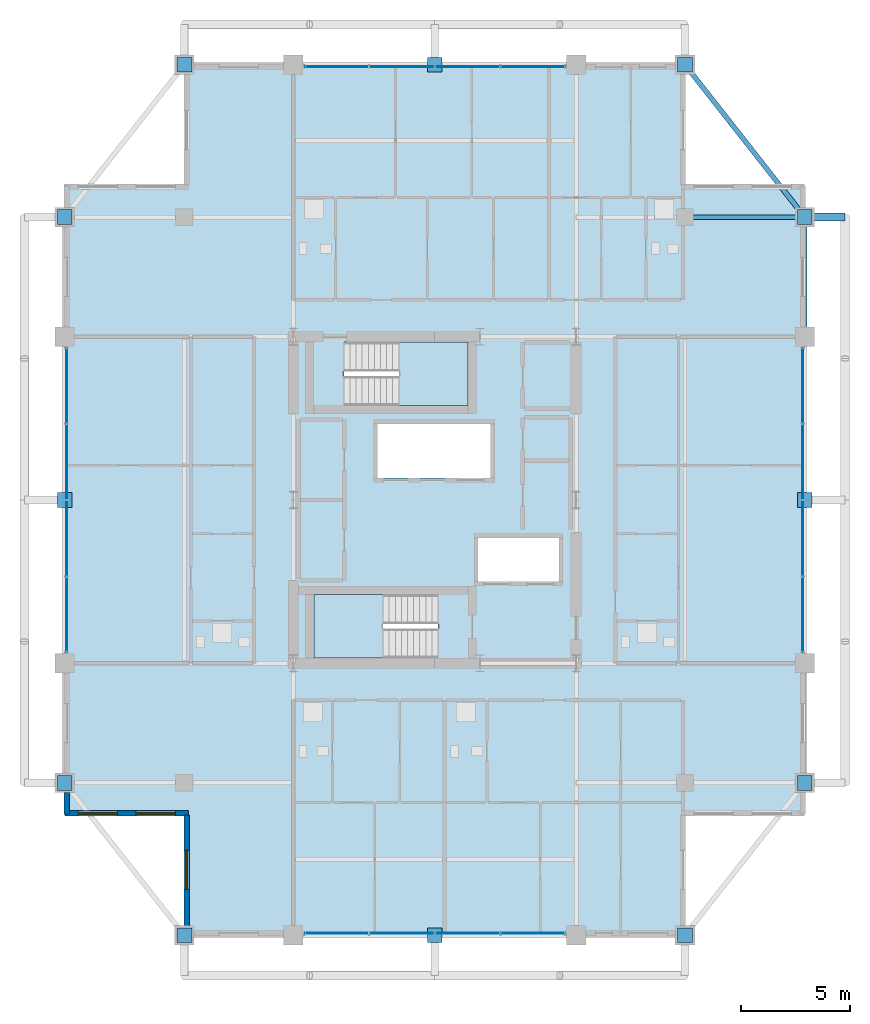
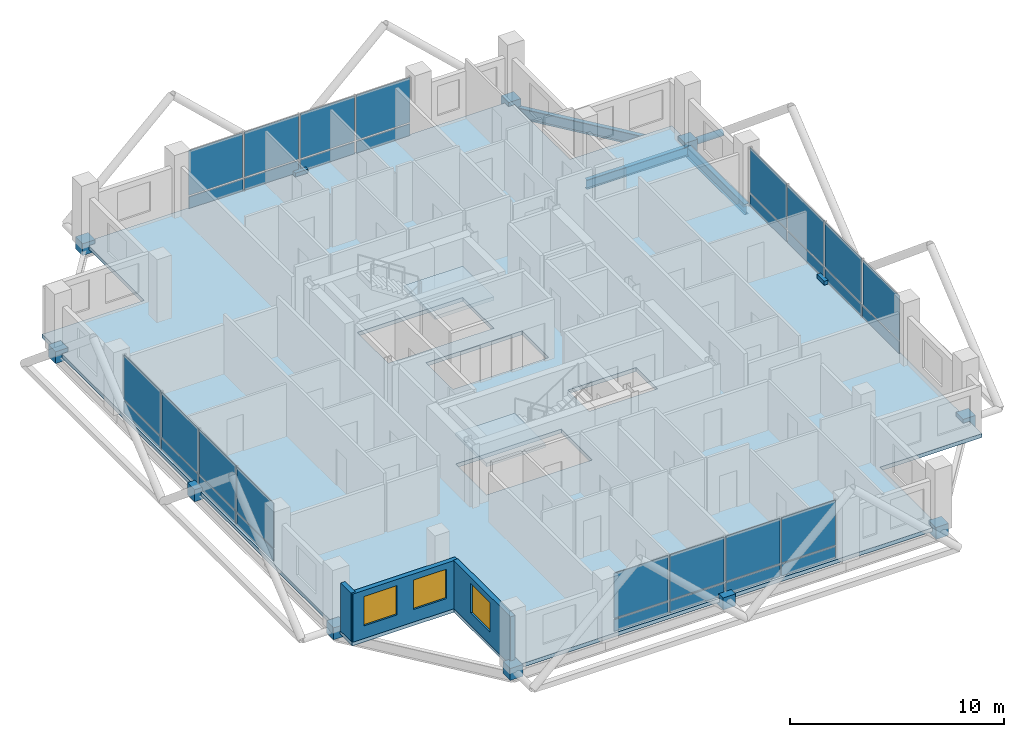
# One storey, part 18 of 25: 44 plates, 3 beams, 3 slabs, 3 walls, 3 windows, 1 member, 3 openings, 6 elements without a shape of their own.
"""IFC4 building model written with IfcOpenShell, lengths in metres."""

from ifc_helpers import new_model, si_unit, direction, frame, frame_2d, origin, origin_2d, place, context, subcontext, project, spatial, polyline, rectangle, hollow_circle, i_section, outline, extrude, material, layer, layer_set, material_profile, profile_set, type_object, element, fill, aggregate, save


model = new_model("IFC4")

# Units and contexts
model_context = context("Model", 3, precision=1e-05, world=origin(), true_north=direction((0.0, 1.0)))
body_context = subcontext(model_context, "Body", "Model", "MODEL_VIEW")
ifc_project = project(units=[si_unit("LENGTHUNIT", "METRE"), si_unit("AREAUNIT", "SQUARE_METRE"), si_unit("VOLUMEUNIT", "CUBIC_METRE"), si_unit("PLANEANGLEUNIT", "RADIAN"), si_unit("MASSUNIT", "GRAM", prefix="KILO")], contexts=[model_context])

# Site, building, storey
site_placement = place(None, origin())
site = spatial("IfcSite", under=ifc_project, at=site_placement, CompositionType="ELEMENT")
building_placement = place(site_placement, origin())
building = spatial("IfcBuilding", under=site, at=building_placement, Name="Barlavira Tower and Art Museum", CompositionType="ELEMENT")
storey_placement = place(building_placement, frame((0.0, 0.0, 229.5)))
storey = spatial("IfcBuildingStorey", under=building, at=storey_placement, Name="L59", CompositionType="ELEMENT", Elevation=229.5)

# Member
ifc_material_1 = material(Name="Steel S355", Category="steel")
ifc_material_profile_1 = material_profile(ifc_material_1, hollow_circle(Radius=0.177734375, WallThickness=0.01611328125, at=origin_2d()), Name="CHS 355.6x16.0")
ifc_profile_set_1 = profile_set([ifc_material_profile_1], Name="Steel S355")
member_type = type_object("IfcMemberType", Name="Pale-Metal Exoskeleton Tie Strut CHS 356x16 Steel S355", PredefinedType="STRUT", material=ifc_profile_set_1)
member_placement = place(storey_placement, frame((18.85009765625, 13.0, -0.1201171875), z_axis=(-1.0, 0.0, 0.0), x_axis=(0.0, -1.0, 0.0)))
element("IfcMember", 1, at=member_placement, inside=storey, type_object=member_type, Name="L59 Exoskeleton Tie Strut E3", PredefinedType="STRUT", context=body_context, shape_type="SweptSolid", body=[
    extrude(hollow_circle(Radius=0.177734375, WallThickness=0.01611328125, at=origin_2d()), origin(), (0.0, 0.0, 1.0), 1.85009765625),
])

# Beams
ifc_material_profile_2 = material_profile(ifc_material_1, i_section(OverallWidth=0.22998046875, OverallDepth=0.616943359375, WebThickness=0.01318359375, FlangeThickness=0.022216796875, at=origin_2d()), Name="W610x140.0")
ifc_profile_set_2 = profile_set([ifc_material_profile_2], Name="Steel S355")
beam_type_1 = type_object("IfcBeamType", Name="Upper Shaft Spandrel Edge Beam W610x140 Steel S355", PredefinedType="SPANDREL", material=ifc_profile_set_2)
beam_1_placement = place(storey_placement, frame((17.0, 7.5, -0.528564453125), z_axis=(0.0, 1.0, 0.0), x_axis=(-1.0, 0.0, 0.0)))
element("IfcBeam", 2, at=beam_1_placement, inside=storey, type_object=beam_type_1, Name="L59 Spandrel 7", PredefinedType="SPANDREL", context=body_context, shape_type="SweptSolid", body=[
    extrude(i_section(OverallWidth=0.22998046875, OverallDepth=0.616943359375, WebThickness=0.01318359375, FlangeThickness=0.022216796875, at=origin_2d()), origin(), (0.0, 0.0, 1.0), 5.5),
])
beam_2_placement = place(storey_placement, frame((17.0, 13.0, -0.528564453125), z_axis=(-0.617821551932, 0.786318338822, 0.0), x_axis=(-0.786318338822, -0.617821551932, 0.0)))
element("IfcBeam", 3, at=beam_2_placement, inside=storey, type_object=beam_type_1, Name="L59 Spandrel 8", PredefinedType="SPANDREL", context=body_context, shape_type="SweptSolid", body=[
    extrude(i_section(OverallWidth=0.22998046875, OverallDepth=0.616943359375, WebThickness=0.01318359375, FlangeThickness=0.022216796875, at=origin_2d()), origin(), (0.0, 0.0, 1.0), 8.90234375),
])
ifc_material_profile_3 = material_profile(ifc_material_1, i_section(OverallWidth=0.2109375, OverallDepth=0.5390625, WebThickness=0.01171875, FlangeThickness=0.018798828125, at=origin_2d()), Name="W530x109.0")
ifc_profile_set_3 = profile_set([ifc_material_profile_3], Name="Steel S355")
beam_type_2 = type_object("IfcBeamType", Name="Zone 3-4 Primary Floor Girder W530x109 Steel S355", PredefinedType="BEAM", material=ifc_profile_set_3)
beam_3_placement = place(storey_placement, frame((11.5, 13.0, -0.489501953125), z_axis=(1.0, 0.0, 0.0), x_axis=(0.0, 1.0, 0.0)))
element("IfcBeam", 4, at=beam_3_placement, inside=storey, type_object=beam_type_2, Name="L59 Girder I-N4", PredefinedType="BEAM", context=body_context, shape_type="SweptSolid", body=[
    extrude(i_section(OverallWidth=0.2109375, OverallDepth=0.5390625, WebThickness=0.01171875, FlangeThickness=0.018798828125, at=origin_2d()), origin(), (0.0, 0.0, 1.0), 5.5),
])

# Curtain wall, plates
ifc_material_2 = material(Name="Low-iron coastal laminated glass", Category="glass")
ifc_layer_1 = layer(ifc_material_2, 0.2099609375, Name="Low-iron coastal laminated glass")
ifc_layer_set_1 = layer_set([ifc_layer_1], Name="Low-iron coastal laminated glass")
curtain_wall_type = type_object("IfcCurtainWallType", Name="Pale-Metal Unitised Curtain Wall Zone 4", PredefinedType="NOTDEFINED", material=ifc_layer_set_1)
curtain_wall_1_placement = place(storey_placement, origin())
curtain_wall_1 = element("IfcCurtainWall", 5, at=curtain_wall_1_placement, inside=storey, type_object=curtain_wall_type, Name="L59 Curtain Wall CW4-L59-S-B2", PredefinedType="NOTDEFINED")
ifc_material_3 = material(Name="Pale anodised aluminium", Category="aluminium")
ifc_layer_2 = layer(ifc_material_3, 0.044921875, Name="Pale anodised aluminium")
ifc_layer_set_2 = layer_set([ifc_layer_2], Name="Pale anodised aluminium")
plate_type_1 = type_object("IfcPlateType", Name="Curtain Wall Pale-Metal Spandrel Panel 45", PredefinedType="CURTAIN_PANEL", material=ifc_layer_set_2)
plate_1_placement = place(storey_placement, frame((-4.5224609375, -19.89990234375, 0.0400390625), z_axis=(0.0, 0.0, 1.0), x_axis=(1.0, 0.0, 0.0)))
plate_1 = element("IfcPlate", 6, at=plate_1_placement, type_object=plate_type_1, Name="CW4-L59-S-B2 Spandrel Panel 0", PredefinedType="CURTAIN_PANEL", context=body_context, shape_type="SweptSolid", body=[
    extrude(rectangle(XDim=2.9150390625, YDim=0.044921875, at=origin_2d()), origin(), (0.0, 0.0, 1.0), 0.6640625),
])
plate_2_placement = place(storey_placement, frame((-1.507568359375, -19.89990234375, 0.0400390625), z_axis=(0.0, 0.0, 1.0), x_axis=(1.0, 0.0, 0.0)))
plate_2 = element("IfcPlate", 7, at=plate_2_placement, type_object=plate_type_1, Name="CW4-L59-S-B2 Spandrel Panel 1", PredefinedType="CURTAIN_PANEL", context=body_context, shape_type="SweptSolid", body=[
    extrude(rectangle(XDim=2.9150390625, YDim=0.044921875, at=origin_2d()), origin(), (0.0, 0.0, 1.0), 0.6640625),
])
plate_3_placement = place(storey_placement, frame((1.507568359375, -19.89990234375, 0.0400390625), z_axis=(0.0, 0.0, 1.0), x_axis=(1.0, 0.0, 0.0)))
plate_3 = element("IfcPlate", 8, at=plate_3_placement, type_object=plate_type_1, Name="CW4-L59-S-B2 Spandrel Panel 2", PredefinedType="CURTAIN_PANEL", context=body_context, shape_type="SweptSolid", body=[
    extrude(rectangle(XDim=2.9150390625, YDim=0.044921875, at=origin_2d()), origin(), (0.0, 0.0, 1.0), 0.6640625),
])
plate_4_placement = place(storey_placement, frame((4.5224609375, -19.89990234375, 0.0400390625), z_axis=(0.0, 0.0, 1.0), x_axis=(1.0, 0.0, 0.0)))
plate_4 = element("IfcPlate", 9, at=plate_4_placement, type_object=plate_type_1, Name="CW4-L59-S-B2 Spandrel Panel 3", PredefinedType="CURTAIN_PANEL", context=body_context, shape_type="SweptSolid", body=[
    extrude(rectangle(XDim=2.9150390625, YDim=0.044921875, at=origin_2d()), origin(), (0.0, 0.0, 1.0), 0.6640625),
])

curtain_wall_2_placement = place(storey_placement, origin())
curtain_wall_2 = element("IfcCurtainWall", 10, at=curtain_wall_2_placement, inside=storey, type_object=curtain_wall_type, Name="L59 Curtain Wall CW4-L59-N-B2", PredefinedType="NOTDEFINED")
plate_5_placement = place(storey_placement, frame((4.5224609375, 19.89990234375, 0.0400390625), z_axis=(0.0, 0.0, 1.0), x_axis=(-1.0, 0.0, 0.0)))
plate_5 = element("IfcPlate", 11, at=plate_5_placement, type_object=plate_type_1, Name="CW4-L59-N-B2 Spandrel Panel 0", PredefinedType="CURTAIN_PANEL", context=body_context, shape_type="SweptSolid", body=[
    extrude(rectangle(XDim=2.9150390625, YDim=0.044921875, at=origin_2d()), origin(), (0.0, 0.0, 1.0), 0.6640625),
])
plate_6_placement = place(storey_placement, frame((1.507568359375, 19.89990234375, 0.0400390625), z_axis=(0.0, 0.0, 1.0), x_axis=(-1.0, 0.0, 0.0)))
plate_6 = element("IfcPlate", 12, at=plate_6_placement, type_object=plate_type_1, Name="CW4-L59-N-B2 Spandrel Panel 1", PredefinedType="CURTAIN_PANEL", context=body_context, shape_type="SweptSolid", body=[
    extrude(rectangle(XDim=2.9150390625, YDim=0.044921875, at=origin_2d()), origin(), (0.0, 0.0, 1.0), 0.6640625),
])
plate_7_placement = place(storey_placement, frame((-1.507568359375, 19.89990234375, 0.0400390625), z_axis=(0.0, 0.0, 1.0), x_axis=(-1.0, 0.0, 0.0)))
plate_7 = element("IfcPlate", 13, at=plate_7_placement, type_object=plate_type_1, Name="CW4-L59-N-B2 Spandrel Panel 2", PredefinedType="CURTAIN_PANEL", context=body_context, shape_type="SweptSolid", body=[
    extrude(rectangle(XDim=2.9150390625, YDim=0.044921875, at=origin_2d()), origin(), (0.0, 0.0, 1.0), 0.6640625),
])
plate_8_placement = place(storey_placement, frame((-4.5224609375, 19.89990234375, 0.0400390625), z_axis=(0.0, 0.0, 1.0), x_axis=(-1.0, 0.0, 0.0)))
plate_8 = element("IfcPlate", 14, at=plate_8_placement, type_object=plate_type_1, Name="CW4-L59-N-B2 Spandrel Panel 3", PredefinedType="CURTAIN_PANEL", context=body_context, shape_type="SweptSolid", body=[
    extrude(rectangle(XDim=2.9150390625, YDim=0.044921875, at=origin_2d()), origin(), (0.0, 0.0, 1.0), 0.6640625),
])

curtain_wall_3_placement = place(storey_placement, origin())
curtain_wall_3 = element("IfcCurtainWall", 15, at=curtain_wall_3_placement, inside=storey, type_object=curtain_wall_type, Name="L59 Curtain Wall CW4-L59-W-B3", PredefinedType="NOTDEFINED")
plate_9_placement = place(storey_placement, frame((-16.89990234375, 5.2724609375, 0.0400390625), z_axis=(0.0, 0.0, 1.0), x_axis=(0.0, -1.0, 0.0)))
plate_9 = element("IfcPlate", 16, at=plate_9_placement, type_object=plate_type_1, Name="CW4-L59-W-B3 Spandrel Panel 0", PredefinedType="CURTAIN_PANEL", context=body_context, shape_type="SweptSolid", body=[
    extrude(rectangle(XDim=3.4150390625, YDim=0.044921875, at=origin_2d()), origin(), (0.0, 0.0, 1.0), 0.6640625),
])
plate_10_placement = place(storey_placement, frame((-16.89990234375, 1.757568359375, 0.0400390625), z_axis=(0.0, 0.0, 1.0), x_axis=(0.0, -1.0, 0.0)))
plate_10 = element("IfcPlate", 17, at=plate_10_placement, type_object=plate_type_1, Name="CW4-L59-W-B3 Spandrel Panel 1", PredefinedType="CURTAIN_PANEL", context=body_context, shape_type="SweptSolid", body=[
    extrude(rectangle(XDim=3.4150390625, YDim=0.044921875, at=origin_2d()), origin(), (0.0, 0.0, 1.0), 0.6640625),
])
plate_11_placement = place(storey_placement, frame((-16.89990234375, -1.757568359375, 0.0400390625), z_axis=(0.0, 0.0, 1.0), x_axis=(0.0, -1.0, 0.0)))
plate_11 = element("IfcPlate", 18, at=plate_11_placement, type_object=plate_type_1, Name="CW4-L59-W-B3 Spandrel Panel 2", PredefinedType="CURTAIN_PANEL", context=body_context, shape_type="SweptSolid", body=[
    extrude(rectangle(XDim=3.4150390625, YDim=0.044921875, at=origin_2d()), origin(), (0.0, 0.0, 1.0), 0.6640625),
])
plate_12_placement = place(storey_placement, frame((-16.89990234375, -5.2724609375, 0.0400390625), z_axis=(0.0, 0.0, 1.0), x_axis=(0.0, -1.0, 0.0)))
plate_12 = element("IfcPlate", 19, at=plate_12_placement, type_object=plate_type_1, Name="CW4-L59-W-B3 Spandrel Panel 3", PredefinedType="CURTAIN_PANEL", context=body_context, shape_type="SweptSolid", body=[
    extrude(rectangle(XDim=3.4150390625, YDim=0.044921875, at=origin_2d()), origin(), (0.0, 0.0, 1.0), 0.6640625),
])

curtain_wall_4_placement = place(storey_placement, origin())
curtain_wall_4 = element("IfcCurtainWall", 20, at=curtain_wall_4_placement, inside=storey, type_object=curtain_wall_type, Name="L59 Curtain Wall CW4-L59-E-B3", PredefinedType="NOTDEFINED")
plate_13_placement = place(storey_placement, frame((16.89990234375, -5.2724609375, 0.0400390625), z_axis=(0.0, 0.0, 1.0), x_axis=(0.0, 1.0, 0.0)))
plate_13 = element("IfcPlate", 21, at=plate_13_placement, type_object=plate_type_1, Name="CW4-L59-E-B3 Spandrel Panel 0", PredefinedType="CURTAIN_PANEL", context=body_context, shape_type="SweptSolid", body=[
    extrude(rectangle(XDim=3.4150390625, YDim=0.044921875, at=origin_2d()), origin(), (0.0, 0.0, 1.0), 0.6640625),
])
plate_14_placement = place(storey_placement, frame((16.89990234375, -1.757568359375, 0.0400390625), z_axis=(0.0, 0.0, 1.0), x_axis=(0.0, 1.0, 0.0)))
plate_14 = element("IfcPlate", 22, at=plate_14_placement, type_object=plate_type_1, Name="CW4-L59-E-B3 Spandrel Panel 1", PredefinedType="CURTAIN_PANEL", context=body_context, shape_type="SweptSolid", body=[
    extrude(rectangle(XDim=3.4150390625, YDim=0.044921875, at=origin_2d()), origin(), (0.0, 0.0, 1.0), 0.6640625),
])
plate_15_placement = place(storey_placement, frame((16.89990234375, 1.757568359375, 0.0400390625), z_axis=(0.0, 0.0, 1.0), x_axis=(0.0, 1.0, 0.0)))
plate_15 = element("IfcPlate", 23, at=plate_15_placement, type_object=plate_type_1, Name="CW4-L59-E-B3 Spandrel Panel 2", PredefinedType="CURTAIN_PANEL", context=body_context, shape_type="SweptSolid", body=[
    extrude(rectangle(XDim=3.4150390625, YDim=0.044921875, at=origin_2d()), origin(), (0.0, 0.0, 1.0), 0.6640625),
])
plate_16_placement = place(storey_placement, frame((16.89990234375, 5.2724609375, 0.0400390625), z_axis=(0.0, 0.0, 1.0), x_axis=(0.0, 1.0, 0.0)))
plate_16 = element("IfcPlate", 24, at=plate_16_placement, type_object=plate_type_1, Name="CW4-L59-E-B3 Spandrel Panel 3", PredefinedType="CURTAIN_PANEL", context=body_context, shape_type="SweptSolid", body=[
    extrude(rectangle(XDim=3.4150390625, YDim=0.044921875, at=origin_2d()), origin(), (0.0, 0.0, 1.0), 0.6640625),
])

# Plate
ifc_layer_3 = layer(ifc_material_2, 0.028076171875, Name="Low-iron coastal laminated glass")
ifc_layer_set_3 = layer_set([ifc_layer_3], Name="Low-iron coastal laminated glass")
plate_type_2 = type_object("IfcPlateType", Name="Curtain Wall Vision Glazing Panel 28", PredefinedType="CURTAIN_PANEL", material=ifc_layer_set_3)
plate_17_placement = place(storey_placement, frame((-4.5224609375, -19.89990234375, 0.7841796875), z_axis=(0.0, 0.0, 1.0), x_axis=(1.0, 0.0, 0.0)))
plate_17 = element("IfcPlate", 25, at=plate_17_placement, type_object=plate_type_2, Name="CW4-L59-S-B2 Vision Glass Panel 0", PredefinedType="CURTAIN_PANEL", context=body_context, shape_type="SweptSolid", body=[
    extrude(rectangle(XDim=2.9150390625, YDim=0.028076171875, at=origin_2d()), origin(), (0.0, 0.0, 1.0), 2.555908203125),
])

plate_18_placement = place(storey_placement, frame((-1.507568359375, -19.89990234375, 0.7841796875), z_axis=(0.0, 0.0, 1.0), x_axis=(1.0, 0.0, 0.0)))
plate_18 = element("IfcPlate", 26, at=plate_18_placement, type_object=plate_type_2, Name="CW4-L59-S-B2 Vision Glass Panel 1", PredefinedType="CURTAIN_PANEL", context=body_context, shape_type="SweptSolid", body=[
    extrude(rectangle(XDim=2.9150390625, YDim=0.028076171875, at=origin_2d()), origin(), (0.0, 0.0, 1.0), 2.555908203125),
])

plate_19_placement = place(storey_placement, frame((1.507568359375, -19.89990234375, 0.7841796875), z_axis=(0.0, 0.0, 1.0), x_axis=(1.0, 0.0, 0.0)))
plate_19 = element("IfcPlate", 27, at=plate_19_placement, type_object=plate_type_2, Name="CW4-L59-S-B2 Vision Glass Panel 2", PredefinedType="CURTAIN_PANEL", context=body_context, shape_type="SweptSolid", body=[
    extrude(rectangle(XDim=2.9150390625, YDim=0.028076171875, at=origin_2d()), origin(), (0.0, 0.0, 1.0), 2.555908203125),
])

plate_20_placement = place(storey_placement, frame((4.5224609375, -19.89990234375, 0.7841796875), z_axis=(0.0, 0.0, 1.0), x_axis=(1.0, 0.0, 0.0)))
plate_20 = element("IfcPlate", 28, at=plate_20_placement, type_object=plate_type_2, Name="CW4-L59-S-B2 Vision Glass Panel 3", PredefinedType="CURTAIN_PANEL", context=body_context, shape_type="SweptSolid", body=[
    extrude(rectangle(XDim=2.9150390625, YDim=0.028076171875, at=origin_2d()), origin(), (0.0, 0.0, 1.0), 2.555908203125),
])

aggregate(curtain_wall_1, [plate_1, plate_17, plate_2, plate_18, plate_3, plate_19, plate_4, plate_20])

plate_21_placement = place(storey_placement, frame((4.5224609375, 19.89990234375, 0.7841796875), z_axis=(0.0, 0.0, 1.0), x_axis=(-1.0, 0.0, 0.0)))
plate_21 = element("IfcPlate", 29, at=plate_21_placement, type_object=plate_type_2, Name="CW4-L59-N-B2 Vision Glass Panel 0", PredefinedType="CURTAIN_PANEL", context=body_context, shape_type="SweptSolid", body=[
    extrude(rectangle(XDim=2.9150390625, YDim=0.028076171875, at=origin_2d()), origin(), (0.0, 0.0, 1.0), 2.555908203125),
])

plate_22_placement = place(storey_placement, frame((1.507568359375, 19.89990234375, 0.7841796875), z_axis=(0.0, 0.0, 1.0), x_axis=(-1.0, 0.0, 0.0)))
plate_22 = element("IfcPlate", 30, at=plate_22_placement, type_object=plate_type_2, Name="CW4-L59-N-B2 Vision Glass Panel 1", PredefinedType="CURTAIN_PANEL", context=body_context, shape_type="SweptSolid", body=[
    extrude(rectangle(XDim=2.9150390625, YDim=0.028076171875, at=origin_2d()), origin(), (0.0, 0.0, 1.0), 2.555908203125),
])

plate_23_placement = place(storey_placement, frame((-1.507568359375, 19.89990234375, 0.7841796875), z_axis=(0.0, 0.0, 1.0), x_axis=(-1.0, 0.0, 0.0)))
plate_23 = element("IfcPlate", 31, at=plate_23_placement, type_object=plate_type_2, Name="CW4-L59-N-B2 Vision Glass Panel 2", PredefinedType="CURTAIN_PANEL", context=body_context, shape_type="SweptSolid", body=[
    extrude(rectangle(XDim=2.9150390625, YDim=0.028076171875, at=origin_2d()), origin(), (0.0, 0.0, 1.0), 2.555908203125),
])

plate_24_placement = place(storey_placement, frame((-4.5224609375, 19.89990234375, 0.7841796875), z_axis=(0.0, 0.0, 1.0), x_axis=(-1.0, 0.0, 0.0)))
plate_24 = element("IfcPlate", 32, at=plate_24_placement, type_object=plate_type_2, Name="CW4-L59-N-B2 Vision Glass Panel 3", PredefinedType="CURTAIN_PANEL", context=body_context, shape_type="SweptSolid", body=[
    extrude(rectangle(XDim=2.9150390625, YDim=0.028076171875, at=origin_2d()), origin(), (0.0, 0.0, 1.0), 2.555908203125),
])

aggregate(curtain_wall_2, [plate_5, plate_21, plate_6, plate_22, plate_7, plate_23, plate_8, plate_24])

plate_25_placement = place(storey_placement, frame((-16.89990234375, 5.2724609375, 0.7841796875), z_axis=(0.0, 0.0, 1.0), x_axis=(0.0, -1.0, 0.0)))
plate_25 = element("IfcPlate", 33, at=plate_25_placement, type_object=plate_type_2, Name="CW4-L59-W-B3 Vision Glass Panel 0", PredefinedType="CURTAIN_PANEL", context=body_context, shape_type="SweptSolid", body=[
    extrude(rectangle(XDim=3.4150390625, YDim=0.028076171875, at=origin_2d()), origin(), (0.0, 0.0, 1.0), 2.555908203125),
])

plate_26_placement = place(storey_placement, frame((-16.89990234375, 1.757568359375, 0.7841796875), z_axis=(0.0, 0.0, 1.0), x_axis=(0.0, -1.0, 0.0)))
plate_26 = element("IfcPlate", 34, at=plate_26_placement, type_object=plate_type_2, Name="CW4-L59-W-B3 Vision Glass Panel 1", PredefinedType="CURTAIN_PANEL", context=body_context, shape_type="SweptSolid", body=[
    extrude(rectangle(XDim=3.4150390625, YDim=0.028076171875, at=origin_2d()), origin(), (0.0, 0.0, 1.0), 2.555908203125),
])

plate_27_placement = place(storey_placement, frame((-16.89990234375, -1.757568359375, 0.7841796875), z_axis=(0.0, 0.0, 1.0), x_axis=(0.0, -1.0, 0.0)))
plate_27 = element("IfcPlate", 35, at=plate_27_placement, type_object=plate_type_2, Name="CW4-L59-W-B3 Vision Glass Panel 2", PredefinedType="CURTAIN_PANEL", context=body_context, shape_type="SweptSolid", body=[
    extrude(rectangle(XDim=3.4150390625, YDim=0.028076171875, at=origin_2d()), origin(), (0.0, 0.0, 1.0), 2.555908203125),
])

plate_28_placement = place(storey_placement, frame((-16.89990234375, -5.2724609375, 0.7841796875), z_axis=(0.0, 0.0, 1.0), x_axis=(0.0, -1.0, 0.0)))
plate_28 = element("IfcPlate", 36, at=plate_28_placement, type_object=plate_type_2, Name="CW4-L59-W-B3 Vision Glass Panel 3", PredefinedType="CURTAIN_PANEL", context=body_context, shape_type="SweptSolid", body=[
    extrude(rectangle(XDim=3.4150390625, YDim=0.028076171875, at=origin_2d()), origin(), (0.0, 0.0, 1.0), 2.555908203125),
])

aggregate(curtain_wall_3, [plate_9, plate_25, plate_10, plate_26, plate_11, plate_27, plate_12, plate_28])

plate_29_placement = place(storey_placement, frame((16.89990234375, -5.2724609375, 0.7841796875), z_axis=(0.0, 0.0, 1.0), x_axis=(0.0, 1.0, 0.0)))
plate_29 = element("IfcPlate", 37, at=plate_29_placement, type_object=plate_type_2, Name="CW4-L59-E-B3 Vision Glass Panel 0", PredefinedType="CURTAIN_PANEL", context=body_context, shape_type="SweptSolid", body=[
    extrude(rectangle(XDim=3.4150390625, YDim=0.028076171875, at=origin_2d()), origin(), (0.0, 0.0, 1.0), 2.555908203125),
])

plate_30_placement = place(storey_placement, frame((16.89990234375, -1.757568359375, 0.7841796875), z_axis=(0.0, 0.0, 1.0), x_axis=(0.0, 1.0, 0.0)))
plate_30 = element("IfcPlate", 38, at=plate_30_placement, type_object=plate_type_2, Name="CW4-L59-E-B3 Vision Glass Panel 1", PredefinedType="CURTAIN_PANEL", context=body_context, shape_type="SweptSolid", body=[
    extrude(rectangle(XDim=3.4150390625, YDim=0.028076171875, at=origin_2d()), origin(), (0.0, 0.0, 1.0), 2.555908203125),
])

plate_31_placement = place(storey_placement, frame((16.89990234375, 1.757568359375, 0.7841796875), z_axis=(0.0, 0.0, 1.0), x_axis=(0.0, 1.0, 0.0)))
plate_31 = element("IfcPlate", 39, at=plate_31_placement, type_object=plate_type_2, Name="CW4-L59-E-B3 Vision Glass Panel 2", PredefinedType="CURTAIN_PANEL", context=body_context, shape_type="SweptSolid", body=[
    extrude(rectangle(XDim=3.4150390625, YDim=0.028076171875, at=origin_2d()), origin(), (0.0, 0.0, 1.0), 2.555908203125),
])

plate_32_placement = place(storey_placement, frame((16.89990234375, 5.2724609375, 0.7841796875), z_axis=(0.0, 0.0, 1.0), x_axis=(0.0, 1.0, 0.0)))
plate_32 = element("IfcPlate", 40, at=plate_32_placement, type_object=plate_type_2, Name="CW4-L59-E-B3 Vision Glass Panel 3", PredefinedType="CURTAIN_PANEL", context=body_context, shape_type="SweptSolid", body=[
    extrude(rectangle(XDim=3.4150390625, YDim=0.028076171875, at=origin_2d()), origin(), (0.0, 0.0, 1.0), 2.555908203125),
])

aggregate(curtain_wall_4, [plate_13, plate_29, plate_14, plate_30, plate_15, plate_31, plate_16, plate_32])

# Plates
ifc_layer_4 = layer(ifc_material_1, 0.679931640625, Name="Steel S355")
ifc_layer_set_4 = layer_set([ifc_layer_4], Name="Steel S355")
plate_type_3 = type_object("IfcPlateType", Name="Exoskeleton Tie-Back Solid Cap Plate Assembly Type 5 Steel S355", PredefinedType="USERDEFINED", material=ifc_layer_set_4)
for number, where, z_axis, x_axis, name in (
    (41, (-11.5, -20.0, -0.4599609375), (0.0, 0.0, 1.0), (1.0, 0.0, 0.0), "Slab Edge Tie Cap Plate S1 ND-L59-0674"),
    (42, (0.0, -20.0, -0.4599609375), (0.0, 0.0, 1.0), (1.0, 0.0, 0.0), "Slab Edge Tie Cap Plate S2 ND-L59-0675"),
    (43, (11.5, -20.0, -0.4599609375), (0.0, 0.0, 1.0), (1.0, 0.0, 0.0), "Slab Edge Tie Cap Plate S3 ND-L59-0676"),
    (44, (-11.5, 20.0, -0.4599609375), (0.0, 0.0, 1.0), (1.0, 0.0, 0.0), "Slab Edge Tie Cap Plate N1 ND-L59-0682"),
    (45, (0.0, 20.0, -0.4599609375), (0.0, 0.0, 1.0), (1.0, 0.0, 0.0), "Slab Edge Tie Cap Plate N2 ND-L59-0683"),
    (46, (11.5, 20.0, -0.4599609375), (0.0, 0.0, 1.0), (1.0, 0.0, 0.0), "Slab Edge Tie Cap Plate N3 ND-L59-0684"),
    (47, (-17.0, -13.0, -0.4599609375), (0.0, 0.0, 1.0), (1.0, 0.0, 0.0), "Slab Edge Tie Cap Plate W1 ND-L59-0690"),
    (48, (-17.0, 0.0, -0.4599609375), (0.0, 0.0, 1.0), (1.0, 0.0, 0.0), "Slab Edge Tie Cap Plate W2 ND-L59-0691"),
    (49, (-17.0, 13.0, -0.4599609375), (0.0, 0.0, 1.0), (1.0, 0.0, 0.0), "Slab Edge Tie Cap Plate W3 ND-L59-0692"),
    (50, (17.0, -13.0, -0.4599609375), (0.0, 0.0, 1.0), (1.0, 0.0, 0.0), "Slab Edge Tie Cap Plate E1 ND-L59-0698"),
    (51, (17.0, 0.0, -0.4599609375), (0.0, 0.0, 1.0), (1.0, 0.0, 0.0), "Slab Edge Tie Cap Plate E2 ND-L59-0699"),
    (52, (17.0, 13.0, -0.4599609375), (0.0, 0.0, 1.0), (1.0, 0.0, 0.0), "Slab Edge Tie Cap Plate E3 ND-L59-0700"),
):
    element("IfcPlate", number, at=place(storey_placement, frame(where, z_axis=z_axis, x_axis=x_axis)), inside=storey, type_object=plate_type_3, Name=name, ObjectType="FLANGE_PLATE", PredefinedType="USERDEFINED", context=body_context, shape_type="SweptSolid", body=[
        extrude(rectangle(XDim=0.679931640625, YDim=0.679931640625, at=origin_2d()), origin(), (0.0, 0.0, 1.0), 0.679931640625),
    ])

# Stair, slab
ifc_material_4 = material(Name="Concrete C45", Category="concrete")
stair_type_1 = type_object("IfcStairType", Name="Tower North Dog-Leg Exit Stair Assembly Concrete C45", PredefinedType="TWO_QUARTER_TURN_STAIR", material=ifc_material_4)
stair_1_placement = place(storey_placement, origin())
stair_1 = element("IfcStair", 53, at=stair_1_placement, inside=storey, type_object=stair_type_1, Name="L59 Tower North Exit Stair ST-T2", PredefinedType="TWO_QUARTER_TURN_STAIR")
ifc_layer_5 = layer(ifc_material_4, 0.199951171875, Name="Concrete C45")
ifc_layer_set_5 = layer_set([ifc_layer_5], Name="Concrete C45")
slab_type_1 = type_object("IfcSlabType", Name="Tower North Dog-Leg Exit Stair Half-Landing Slab 200 Concrete C45", PredefinedType="LANDING", material=ifc_layer_set_5)
slab_1_placement = place(storey_placement, frame((0.0, 0.0, 1.60009765625)))
slab_1 = element("IfcSlab", 54, at=slab_1_placement, type_object=slab_type_1, Name="ST-T2 landing 1", PredefinedType="LANDING", context=body_context, shape_type="SweptSolid", body=[
    extrude(outline(polyline([(-1.64990234375, 4.35009765625), (1.530029296875, 4.35009765625), (1.530029296875, 7.25), (-1.64990234375, 7.25), (-1.64990234375, 4.35009765625)])), origin(), (0.0, 0.0, 1.0), 0.199951171875),
])
aggregate(stair_1, [slab_1])

stair_type_2 = type_object("IfcStairType", Name="Tower South Dog-Leg Exit Stair Assembly Concrete C45", PredefinedType="TWO_QUARTER_TURN_STAIR", material=ifc_material_4)
stair_2_placement = place(storey_placement, origin())
stair_2 = element("IfcStair", 55, at=stair_2_placement, inside=storey, type_object=stair_type_2, Name="L59 Tower South Exit Stair ST-T1", PredefinedType="TWO_QUARTER_TURN_STAIR")
ifc_layer_6 = layer(ifc_material_4, 0.199951171875, Name="Concrete C45")
ifc_layer_set_6 = layer_set([ifc_layer_6], Name="Concrete C45")
slab_type_2 = type_object("IfcSlabType", Name="Tower South Dog-Leg Exit Stair Half-Landing Slab 200 Concrete C45", PredefinedType="LANDING", material=ifc_layer_set_6)
slab_2_placement = place(storey_placement, frame((0.0, 0.0, 1.60009765625)))
slab_2 = element("IfcSlab", 56, at=slab_2_placement, type_object=slab_type_2, Name="ST-T1 landing 1", PredefinedType="LANDING", context=body_context, shape_type="SweptSolid", body=[
    extrude(outline(polyline([(-2.3701171875, -4.35009765625), (-5.550048828125, -4.35009765625), (-5.550048828125, -7.25), (-2.3701171875, -7.25), (-2.3701171875, -4.35009765625)])), origin(), (0.0, 0.0, 1.0), 0.199951171875),
])
aggregate(stair_2, [slab_2])

# Slab
ifc_material_5 = material(Name="Concrete C50", Category="concrete")
ifc_layer_7 = layer(ifc_material_5, 0.18994140625, Name="Concrete C50")
ifc_layer_set_7 = layer_set([ifc_layer_7], Name="Concrete C50")
slab_type_3 = type_object("IfcSlabType", Name="Zone 4 Residential Composite Slab 190 Concrete C50", PredefinedType="FLOOR", material=ifc_layer_set_7)
slab_3_placement = place(storey_placement, frame((0.0, 0.0, -0.219970703125)))
element("IfcSlab", 57, at=slab_3_placement, inside=storey, type_object=slab_type_3, Name="L59 Tower Floor Slab", PredefinedType="FLOOR", context=body_context, shape_type="SweptSolid", body=[
    extrude(outline(polyline([(-11.5, -20.0), (11.5, -20.0), (11.5, -14.5), (17.0, -14.5), (17.0, 14.5), (11.5, 14.5), (11.5, 20.0), (-11.5, 20.0), (-11.5, 14.5), (-17.0, 14.5), (-17.0, -14.5), (-11.5, -14.5), (-11.5, -20.0)]), holes=[polyline([(0.14990234375, -4.35009765625), (-5.550048828125, -4.35009765625), (-5.550048828125, -7.25), (0.14990234375, -7.25), (0.14990234375, -4.35009765625)]), polyline([(-4.169921875, 4.35009765625), (1.530029296875, 4.35009765625), (1.530029296875, 7.25), (-4.169921875, 7.25), (-4.169921875, 4.35009765625)]), polyline([(-2.6201171875, 1.0), (2.56005859375, 1.0), (2.56005859375, 3.5), (-2.6201171875, 3.5), (-2.6201171875, 1.0)]), polyline([(2.0, -3.75), (5.699951171875, -3.75), (5.699951171875, -1.75), (2.0, -1.75), (2.0, -3.75)])]), origin(), (0.0, 0.0, 1.0), 0.219970703125),
])

# Wall
ifc_material_6 = material(Name="Precast concrete C40", Category="concrete")
ifc_layer_8 = layer(ifc_material_6, 0.25, Name="Precast concrete C40")
ifc_layer_set_8 = layer_set([ifc_layer_8], Name="Precast concrete C40")
wall_type = type_object("IfcWallType", Name="Notched Corner Spandrel Wall 250 Precast Concrete C40", PredefinedType="SOLIDWALL", material=ifc_layer_set_8)
wall_1_placement = place(storey_placement, frame((-16.89990234375, -13.445068359375, 0.0), z_axis=(0.0, 0.0, 1.0), x_axis=(0.0, -1.0, 0.0)))
element("IfcWall", 58, at=wall_1_placement, inside=storey, type_object=wall_type, Name="L59 Coastal Facade Pier Wall CW4-L59-W-5", PredefinedType="SOLIDWALL", context=body_context, shape_type="SweptSolid", body=[
    extrude(rectangle(XDim=0.97998046875, YDim=0.25, at=frame_2d((0.489990234375, 0.0))), origin(), (0.0, 0.0, 1.0), 2.748046875),
])

# Wall, openings, windows
wall_2_placement = place(storey_placement, frame((-16.97998046875, -14.39990234375, 0.0), z_axis=(0.0, 0.0, 1.0), x_axis=(1.0, 0.0, 0.0)))
wall_2 = element("IfcWall", 59, at=wall_2_placement, inside=storey, type_object=wall_type, Name="L59 Notch Corner Wall SW1", PredefinedType="SOLIDWALL", context=body_context, shape_type="SweptSolid", body=[
    extrude(rectangle(XDim=5.659912109375, YDim=0.25, at=frame_2d((2.830078125, 0.0))), origin(), (0.0, 0.0, 1.0), 2.748046875),
])
opening_1_placement = place(wall_2_placement, frame((0.594970703125, 0.0, 0.719970703125)))
opening_1 = element("IfcOpeningElement", 60, at=opening_1_placement, cuts=wall_2, Name="Opening WN-01", PredefinedType="OPENING", context=body_context, shape_type="SweptSolid", body=[
    extrude(rectangle(XDim=1.800048828125, YDim=1.679931640625, at=frame_2d((0.89990234375, 0.83984375))), frame((0.0, 0.135009765625, 0.0), z_axis=(0.0, -1.0, 0.0), x_axis=(1.0, 0.0, 0.0)), (0.0, 0.0, 1.0), 0.27001953125),
])
opening_2_placement = place(wall_2_placement, frame((3.264892578125, 0.0, 0.719970703125)))
opening_2 = element("IfcOpeningElement", 61, at=opening_2_placement, cuts=wall_2, Name="Opening WN-01", PredefinedType="OPENING", context=body_context, shape_type="SweptSolid", body=[
    extrude(rectangle(XDim=1.800048828125, YDim=1.679931640625, at=frame_2d((0.89990234375, 0.83984375))), frame((0.0, 0.135009765625, 0.0), z_axis=(0.0, -1.0, 0.0), x_axis=(1.0, 0.0, 0.0)), (0.0, 0.0, 1.0), 0.27001953125),
])
window_type = type_object("IfcWindowType", Name="Recessed Notch Corner Punch Window 1800x1680", PartitioningType="SINGLE_PANEL", PredefinedType="WINDOW", material=ifc_material_2)
window_1_placement = place(opening_1_placement, origin())
window_1 = element("IfcWindow", 62, at=window_1_placement, inside=storey, type_object=window_type, Name="L59 Punched Facade Window EW-NTC-L59-SW1-1", OverallHeight=1.679931640625, OverallWidth=1.800048828125, PartitioningType="SINGLE_PANEL", PredefinedType="WINDOW", context=body_context, shape_type="SweptSolid", body=[
    extrude(rectangle(XDim=1.800048828125, YDim=1.679931640625, at=frame_2d((0.89990234375, 0.83984375))), frame((0.0, 0.030029296875, 0.0), z_axis=(0.0, -1.0, 0.0), x_axis=(1.0, 0.0, 0.0)), (0.0, 0.0, 1.0), 0.06005859375),
])
fill(opening_1, window_1)
window_2_placement = place(opening_2_placement, origin())
window_2 = element("IfcWindow", 63, at=window_2_placement, inside=storey, type_object=window_type, Name="L59 Punched Facade Window EW-NTC-L59-SW1-2", OverallHeight=1.679931640625, OverallWidth=1.800048828125, PartitioningType="SINGLE_PANEL", PredefinedType="WINDOW", context=body_context, shape_type="SweptSolid", body=[
    extrude(rectangle(XDim=1.800048828125, YDim=1.679931640625, at=frame_2d((0.89990234375, 0.83984375))), frame((0.0, 0.030029296875, 0.0), z_axis=(0.0, -1.0, 0.0), x_axis=(1.0, 0.0, 0.0)), (0.0, 0.0, 1.0), 0.06005859375),
])
fill(opening_2, window_2)

# Wall, opening, window
wall_3_placement = place(storey_placement, frame((-11.39990234375, -14.47998046875, 0.0), z_axis=(0.0, 0.0, 1.0), x_axis=(0.0, -1.0, 0.0)))
wall_3 = element("IfcWall", 64, at=wall_3_placement, inside=storey, type_object=wall_type, Name="L59 Notch Corner Wall SW2", PredefinedType="SOLIDWALL", context=body_context, shape_type="SweptSolid", body=[
    extrude(rectangle(XDim=5.340087890625, YDim=0.25, at=frame_2d((2.669921875, 0.0))), origin(), (0.0, 0.0, 1.0), 2.748046875),
])
opening_3_placement = place(wall_3_placement, frame((1.614990234375, 0.0, 0.719970703125)))
opening_3 = element("IfcOpeningElement", 65, at=opening_3_placement, cuts=wall_3, Name="Opening WN-01", PredefinedType="OPENING", context=body_context, shape_type="SweptSolid", body=[
    extrude(rectangle(XDim=1.800048828125, YDim=1.679931640625, at=frame_2d((0.89990234375, 0.83984375))), frame((0.0, 0.135009765625, 0.0), z_axis=(0.0, -1.0, 0.0), x_axis=(1.0, 0.0, 0.0)), (0.0, 0.0, 1.0), 0.27001953125),
])
window_3_placement = place(opening_3_placement, origin())
window_3 = element("IfcWindow", 66, at=window_3_placement, inside=storey, type_object=window_type, Name="L59 Punched Facade Window EW-NTC-L59-SW2-1", OverallHeight=1.679931640625, OverallWidth=1.800048828125, PartitioningType="SINGLE_PANEL", PredefinedType="WINDOW", context=body_context, shape_type="SweptSolid", body=[
    extrude(rectangle(XDim=1.800048828125, YDim=1.679931640625, at=frame_2d((0.89990234375, 0.83984375))), frame((0.0, 0.030029296875, 0.0), z_axis=(0.0, -1.0, 0.0), x_axis=(1.0, 0.0, 0.0)), (0.0, 0.0, 1.0), 0.06005859375),
])
fill(opening_3, window_3)

save(model, "model.ifc")
